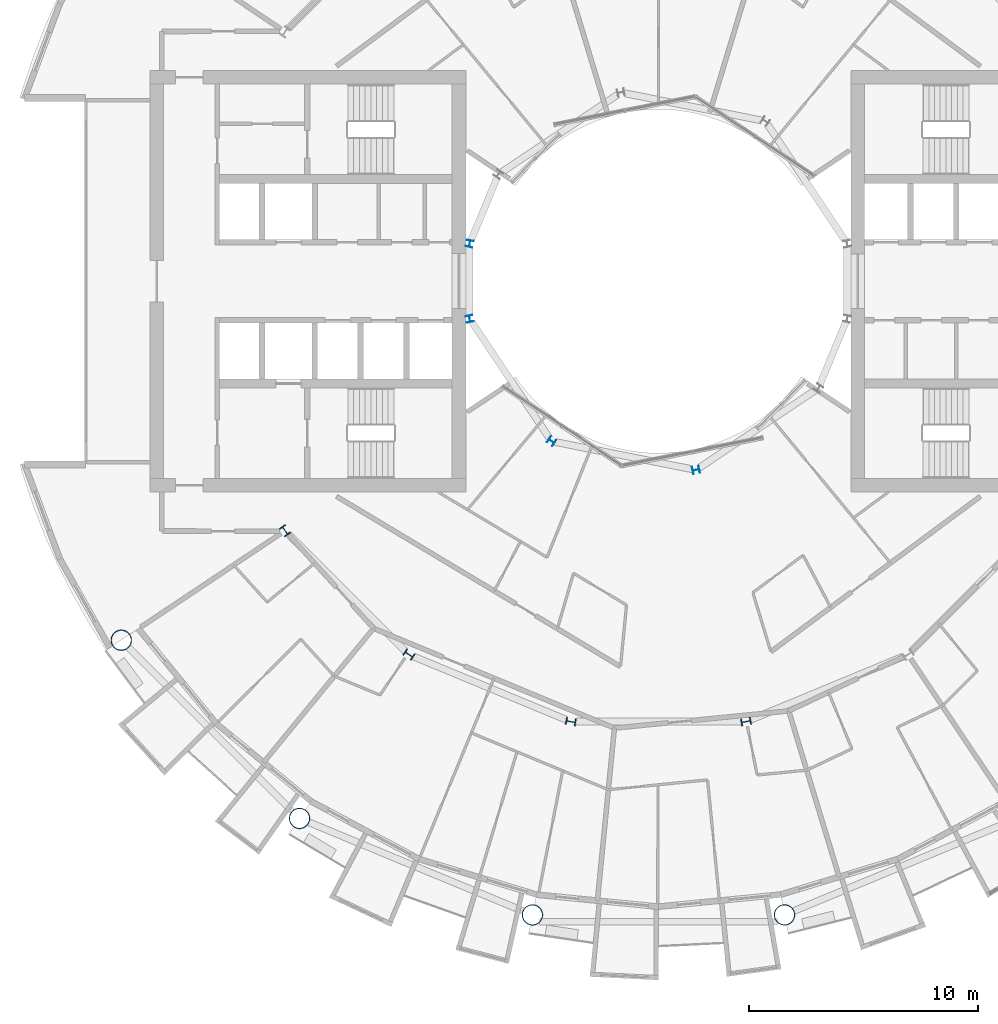
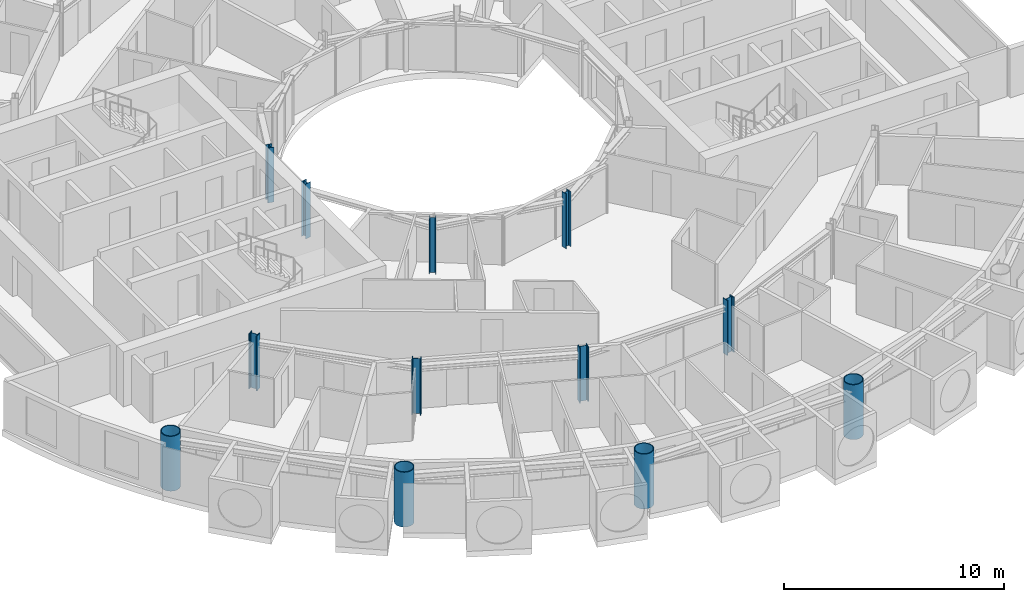
# One storey, part 1 of 27: 12 columns.
"""IFC4 building model written with IfcOpenShell, lengths in metres."""

from ifc_helpers import new_model, si_unit, direction, frame, origin, origin_2d, place, context, subcontext, project, spatial, hollow_circle, i_section, extrude, material, material_profile, profile_set, type_object, element, save


model = new_model("IFC4")

# Units and contexts
model_context = context("Model", 3, precision=1e-05, world=origin(), true_north=direction((0.0, 1.0)))
body_context = subcontext(model_context, "Body", "Model", "MODEL_VIEW")
ifc_project = project(units=[si_unit("LENGTHUNIT", "METRE"), si_unit("AREAUNIT", "SQUARE_METRE"), si_unit("VOLUMEUNIT", "CUBIC_METRE"), si_unit("PLANEANGLEUNIT", "RADIAN"), si_unit("MASSUNIT", "GRAM", prefix="KILO")], contexts=[model_context])

# Site, building, storey
site_placement = place(None, origin())
site = spatial("IfcSite", under=ifc_project, at=site_placement, CompositionType="ELEMENT")
building_placement = place(site_placement, origin())
building = spatial("IfcBuilding", under=site, at=building_placement, Name="Maasbend Ring Residences", CompositionType="ELEMENT")
storey_placement = place(building_placement, frame((0.0, 0.0, 120.800048828125)))
storey = spatial("IfcBuildingStorey", under=building, at=storey_placement, Name="L34", CompositionType="ELEMENT", Elevation=120.800048828125)

# Columns
ifc_material_1 = material(Name="Composite concrete-filled steel tube S460NH / C80/95", Category="concrete")
ifc_material_profile_1 = material_profile(ifc_material_1, hollow_circle(Radius=0.45703125, WallThickness=0.0400390625, at=origin_2d()), Name="Composite tube column CHS 914x40")
ifc_profile_set_1 = profile_set([ifc_material_profile_1], Name="Composite concrete-filled steel tube S460NH / C80/95")
column_type_1 = type_object("IfcColumnType", Name="Composite tube column CHS 914x40", PredefinedType="COLUMN", material=ifc_profile_set_1)
for number, where, z_axis, x_axis, name in (
    (1, (-23.447509765625, -15.6669921875, 0.0), (0.0, 0.0, 1.0), (1.0, 0.0, 0.0), "Outer column R10"),
    (2, (-15.6669921875, -23.447509765625, 0.0), (0.0, 0.0, 1.0), (1.0, 0.0, 0.0), "Outer column R11"),
    (3, (-5.50146484375, -27.658203125, 0.0), (0.0, 0.0, 1.0), (1.0, 0.0, 0.0), "Outer column R12"),
    (4, (5.50146484375, -27.658203125, 0.0), (0.0, 0.0, 1.0), (1.0, 0.0, 0.0), "Outer column R13"),
):
    element("IfcColumn", number, at=place(storey_placement, frame(where, z_axis=z_axis, x_axis=x_axis)), inside=storey, type_object=column_type_1, Name=name, PredefinedType="COLUMN", context=body_context, shape_type="SweptSolid", body=[
        extrude(hollow_circle(Radius=0.45703125, WallThickness=0.0400390625, at=origin_2d()), origin(), (0.0, 0.0, 1.0), 3.050048828125),
    ])
ifc_material_2 = material(Name="Steel S355J2", Category="steel")
ifc_material_profile_2 = material_profile(ifc_material_2, i_section(OverallWidth=0.300048828125, OverallDepth=0.300048828125, WebThickness=0.010986328125, FlangeThickness=0.01904296875, FilletRadius=0.027099609375, at=origin_2d()), Name="HEB 300")
ifc_profile_set_2 = profile_set([ifc_material_profile_2], Name="Steel S355J2")
column_type_2 = type_object("IfcColumnType", Name="Steel column HEB 300", PredefinedType="COLUMN", material=ifc_profile_set_2)
for number, where, z_axis, x_axis, name in (
    (5, (-8.238525390625, 1.638916015625, 0.0), (0.0, 0.0, 1.0), (-0.980785280403, 0.195090322016, 0.0), "Well ring column R8"),
    (6, (-8.238525390625, -1.638916015625, 0.0), (0.0, 0.0, 1.0), (-0.980785280403, -0.195090322016, 0.0), "Well ring column R9"),
    (7, (-4.666748046875, -6.984375, 0.0), (0.0, 0.0, 1.0), (-0.55557023302, -0.831469612303, 0.0), "Well ring column R11"),
    (8, (1.638916015625, -8.238525390625, 0.0), (0.0, 0.0, 1.0), (0.195090322016, -0.980785280403, 0.0), "Well ring column R13"),
):
    element("IfcColumn", number, at=place(storey_placement, frame(where, z_axis=z_axis, x_axis=x_axis)), inside=storey, type_object=column_type_2, Name=name, PredefinedType="COLUMN", context=body_context, shape_type="SweptSolid", body=[
        extrude(i_section(OverallWidth=0.300048828125, OverallDepth=0.300048828125, WebThickness=0.010986328125, FlangeThickness=0.01904296875, FilletRadius=0.027099609375, at=origin_2d()), origin(), (0.0, 0.0, 1.0), 3.050048828125),
    ])
ifc_material_3 = material(Name="Steel S460M", Category="steel")
ifc_material_profile_3 = material_profile(ifc_material_3, i_section(OverallWidth=0.306884765625, OverallDepth=0.431884765625, WebThickness=0.02099609375, FlangeThickness=0.0400390625, FilletRadius=0.027099609375, at=origin_2d()), Name="HEM 400")
ifc_profile_set_3 = profile_set([ifc_material_profile_3], Name="Steel S460M")
column_type_3 = type_object("IfcColumnType", Name="Steel column HEM 400", PredefinedType="COLUMN", material=ifc_profile_set_3)
for number, where, z_axis, x_axis, name in (
    (9, (-16.296875, -10.88916015625, 0.0), (0.0, 0.0, 1.0), (-0.831469612303, -0.55557023302, 0.0), "Corridor ring column R10"),
    (10, (-10.88916015625, -16.296875, 0.0), (0.0, 0.0, 1.0), (-0.55557023302, -0.831469612303, 0.0), "Corridor ring column R11"),
    (11, (-3.82373046875, -19.223388671875, 0.0), (0.0, 0.0, 1.0), (-0.195090322016, -0.980785280403, 0.0), "Corridor ring column R12"),
    (12, (3.82373046875, -19.223388671875, 0.0), (0.0, 0.0, 1.0), (0.195090322016, -0.980785280403, 0.0), "Corridor ring column R13"),
):
    element("IfcColumn", number, at=place(storey_placement, frame(where, z_axis=z_axis, x_axis=x_axis)), inside=storey, type_object=column_type_3, Name=name, PredefinedType="COLUMN", context=body_context, shape_type="SweptSolid", body=[
        extrude(i_section(OverallWidth=0.306884765625, OverallDepth=0.431884765625, WebThickness=0.02099609375, FlangeThickness=0.0400390625, FilletRadius=0.027099609375, at=origin_2d()), origin(), (0.0, 0.0, 1.0), 3.050048828125),
    ])

save(model, "model.ifc")
